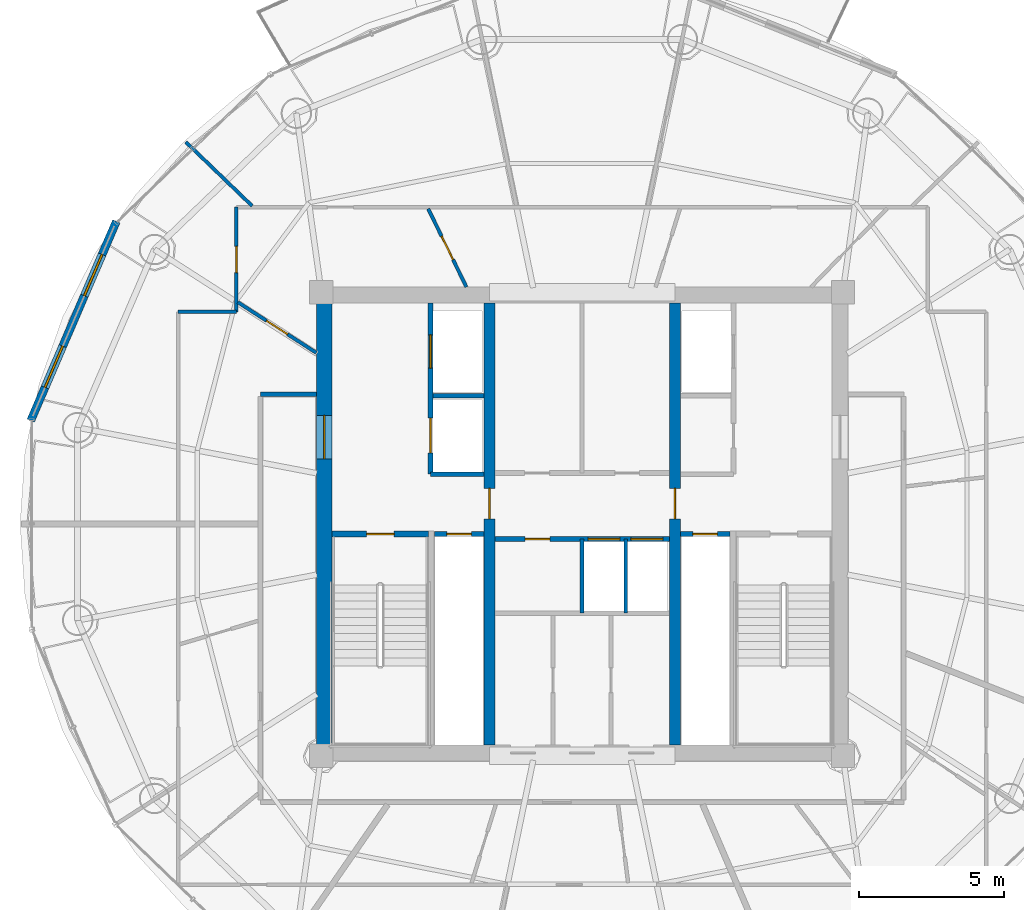
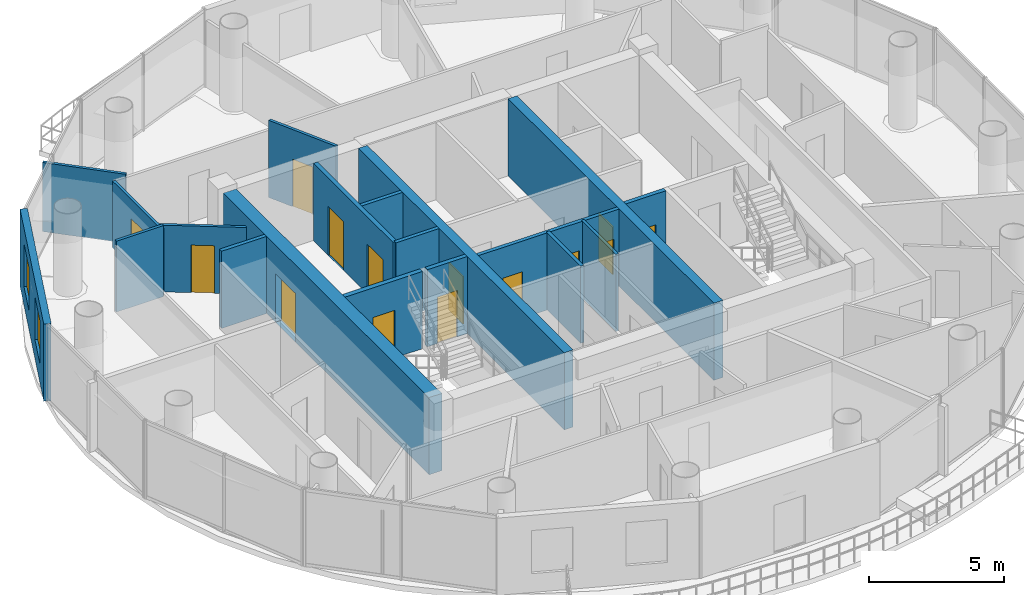
# One storey, part 19 of 24: 19 walls, 14 doors, 2 windows, 16 openings.
"""IFC4 building model written with IfcOpenShell, lengths in metres."""

from ifc_helpers import new_model, si_unit, direction, frame, frame_2d, origin, place, context, subcontext, project, spatial, rectangle, extrude, source, transform, mapped, material, layer, layer_set, type_object, element, fill, save


model = new_model("IFC4")

# Units and contexts
model_context = context("Model", 3, precision=1e-05, world=origin(), true_north=direction((-0.2419218956, 0.970295726276)))
body_context = subcontext(model_context, "Body", "Model", "MODEL_VIEW")
ifc_project = project(units=[si_unit("LENGTHUNIT", "METRE"), si_unit("AREAUNIT", "SQUARE_METRE"), si_unit("VOLUMEUNIT", "CUBIC_METRE"), si_unit("PLANEANGLEUNIT", "RADIAN"), si_unit("MASSUNIT", "GRAM", prefix="KILO")], contexts=[model_context])

# Site, building, storey
site_placement = place(None, origin())
site = spatial("IfcSite", under=ifc_project, at=site_placement, CompositionType="ELEMENT")
building_placement = place(site_placement, origin())
building = spatial("IfcBuilding", under=site, at=building_placement, Name="Cobrevalo Terracotta Tower", CompositionType="ELEMENT")
storey_placement = place(building_placement, frame((0.0, 0.0, 270.699951171875)))
storey = spatial("IfcBuildingStorey", under=building, at=storey_placement, Name="L71", CompositionType="ELEMENT", Elevation=270.699951171875)

# Wall, opening, door
ifc_material_1 = material(Name="Concrete C50", Category="concrete")
ifc_layer_1 = layer(ifc_material_1, 0.550048828125)
ifc_layer_set_1 = layer_set([ifc_layer_1], Name="Concrete C50")
wall_type_1 = type_object("IfcWallType", Name="Core shear wall 550 mm Concrete C50", PredefinedType="SHEAR", material=ifc_layer_set_1)
wall_1_placement = place(storey_placement, frame((29.10009765625, 19.175048828125, 0.0), z_axis=(0.0, 0.0, 1.0), x_axis=(0.0, 1.0, 0.0)))
wall_1 = element("IfcWall", 1, at=wall_1_placement, inside=storey, type_object=wall_type_1, Name="L71 west core shear wall", PredefinedType="SHEAR", context=body_context, shape_type="SweptSolid", body=[
    extrude(rectangle(XDim=15.25, YDim=0.550048828125, at=frame_2d((7.625, 0.0))), origin(), (0.0, 0.0, 1.0), 3.489990234375),
])
opening_1_placement = place(wall_1_placement, frame((9.875, 0.0, 0.0)))
opening_1 = element("IfcOpeningElement", 2, at=opening_1_placement, cuts=wall_1, Name="Opening ID-14", PredefinedType="OPENING", context=body_context, shape_type="SweptSolid", body=[
    extrude(rectangle(XDim=1.5, YDim=2.199951171875, at=frame_2d((0.75, 1.10009765625))), frame((0.0, 0.28515625, 0.0), z_axis=(0.0, -1.0, 0.0), x_axis=(1.0, 0.0, 0.0)), (0.0, 0.0, 1.0), 0.570068359375),
])
ifc_material_2 = material(Name="Galvanized fire-rated steel", Category="steel")
door_type_1 = type_object("IfcDoorType", Name="Core cross-lobby double fire door 1500x2200 EI 90", OperationType="NOTDEFINED", PredefinedType="DOOR", material=ifc_material_2)
shared_shape_1 = source(origin(), body_context, "Body", "SweptSolid", [
    extrude(rectangle(XDim=1.5, YDim=2.199951171875, at=frame_2d((0.75, 1.10009765625))), frame((0.0, 0.02490234375, 0.0), z_axis=(0.0, -1.0, 0.0), x_axis=(1.0, 0.0, 0.0)), (0.0, 0.0, 1.0), 0.050048828125),
])
door_1_placement = place(opening_1_placement, origin())
door_1 = element("IfcDoor", 3, at=door_1_placement, inside=storey, type_object=door_type_1, Name="L71 west firefighting lobby entrance door", OperationType="DOUBLE_DOOR_SINGLE_SWING", OverallHeight=2.199951171875, OverallWidth=1.5, PredefinedType="DOOR", context=body_context, shape_type="MappedRepresentation", body=[
    mapped(shared_shape_1, transform((0.0, 0.0, 0.0), scale=1.0)),
])
fill(opening_1, door_1)

# Walls
ifc_material_3 = material(Name="Gypsum board on steel stud", Category="steel")
ifc_layer_2 = layer(ifc_material_3, 0.159912109375)
ifc_layer_set_2 = layer_set([ifc_layer_2], Name="Gypsum board on steel stud")
wall_type_2 = type_object("IfcWallType", Name="Fire-rated corridor acoustic partition wall 160 mm", PredefinedType="PARTITIONING", material=ifc_layer_set_2)
wall_2_placement = place(storey_placement, frame((32.860107421875, 31.219970703125, 0.0), z_axis=(0.0, 0.0, 1.0), x_axis=(1.0, 0.0, 0.0)))
element("IfcWall", 4, at=wall_2_placement, inside=storey, type_object=wall_type_2, Name="L71 interior partition IW-L71-FF1-M", PredefinedType="PARTITIONING", context=body_context, shape_type="SweptSolid", body=[
    extrude(rectangle(XDim=1.75, YDim=0.159912109375, at=frame_2d((0.875, 0.0))), origin(), (0.0, 0.0, 1.0), 3.489990234375),
])
wall_3_placement = place(storey_placement, frame((32.77001953125, 28.52001953125, 0.0), z_axis=(0.0, 0.0, 1.0), x_axis=(1.0, 0.0, 0.0)))
element("IfcWall", 5, at=wall_3_placement, inside=storey, type_object=wall_type_2, Name="L71 interior partition IW-L71-FF1-S", PredefinedType="PARTITIONING", context=body_context, shape_type="SweptSolid", body=[
    extrude(rectangle(XDim=1.840087890625, YDim=0.159912109375, at=frame_2d((0.919921875, 0.0))), origin(), (0.0, 0.0, 1.0), 3.489990234375),
])

# Wall, openings, doors
wall_4_placement = place(storey_placement, frame((34.989990234375, 26.280029296875, 0.0), z_axis=(0.0, 0.0, 1.0), x_axis=(1.0, 0.0, 0.0)))
wall_4 = element("IfcWall", 6, at=wall_4_placement, inside=storey, type_object=wall_type_2, Name="L71 interior partition IW-L71-MB-N", PredefinedType="PARTITIONING", context=body_context, shape_type="SweptSolid", body=[
    extrude(rectangle(XDim=6.02001953125, YDim=0.159912109375, at=frame_2d((3.010009765625, 0.0))), origin(), (0.0, 0.0, 1.0), 3.489990234375),
])
opening_2_placement = place(wall_4_placement, frame((1.044921875, 0.0, 0.0)))
opening_2 = element("IfcOpeningElement", 7, at=opening_2_placement, cuts=wall_4, Name="Opening ID-22", PredefinedType="OPENING", context=body_context, shape_type="SweptSolid", body=[
    extrude(rectangle(XDim=0.85009765625, YDim=2.10009765625, at=frame_2d((0.425048828125, 1.050048828125))), frame((0.0, 0.08984375, 0.0), z_axis=(0.0, -1.0, 0.0), x_axis=(1.0, 0.0, 0.0)), (0.0, 0.0, 1.0), 0.179931640625),
])
opening_3_placement = place(wall_4_placement, frame((3.215087890625, 0.0, 0.0)))
opening_3 = element("IfcOpeningElement", 8, at=opening_3_placement, cuts=wall_4, Name="Opening LD-01", PredefinedType="OPENING", context=body_context, shape_type="SweptSolid", body=[
    extrude(rectangle(XDim=1.10009765625, YDim=2.199951171875, at=frame_2d((0.550048828125, 1.10009765625))), frame((0.0, 0.08984375, 0.0), z_axis=(0.0, -1.0, 0.0), x_axis=(1.0, 0.0, 0.0)), (0.0, 0.0, 1.0), 0.179931640625),
])
opening_4_placement = place(wall_4_placement, frame((4.695068359375, 0.0, 0.0)))
opening_4 = element("IfcOpeningElement", 9, at=opening_4_placement, cuts=wall_4, Name="Opening LD-01", PredefinedType="OPENING", context=body_context, shape_type="SweptSolid", body=[
    extrude(rectangle(XDim=1.10009765625, YDim=2.199951171875, at=frame_2d((0.550048828125, 1.10009765625))), frame((0.0, 0.08984375, 0.0), z_axis=(0.0, -1.0, 0.0), x_axis=(1.0, 0.0, 0.0)), (0.0, 0.0, 1.0), 0.179931640625),
])
ifc_material_4 = material(Name="Powder-coated steel", Category="steel")
door_type_2 = type_object("IfcDoorType", Name="Riser shaft & meter closet fire access door 850x2100 EI 60", OperationType="NOTDEFINED", PredefinedType="DOOR", material=ifc_material_4)
shared_shape_2 = source(origin(), body_context, "Body", "SweptSolid", [
    extrude(rectangle(XDim=0.85009765625, YDim=2.10009765625, at=frame_2d((0.425048828125, 1.050048828125))), frame((0.0, 0.02490234375, 0.0), z_axis=(0.0, -1.0, 0.0), x_axis=(1.0, 0.0, 0.0)), (0.0, 0.0, 1.0), 0.050048828125),
])
door_2_placement = place(opening_2_placement, frame((0.85009765625, 0.0, 0.0), z_axis=(0.0, 0.0, 1.0), x_axis=(-1.0, 0.0, 0.0)))
door_2 = element("IfcDoor", 10, at=door_2_placement, inside=storey, type_object=door_type_2, Name="L71 core room door High-Rise Core Linen and Equipment Store", OperationType="SINGLE_SWING_RIGHT", OverallHeight=2.10009765625, OverallWidth=0.85009765625, PredefinedType="DOOR", context=body_context, shape_type="MappedRepresentation", body=[
    mapped(shared_shape_2, transform((0.0, 0.0, 0.0), scale=1.0)),
])
fill(opening_2, door_2)
ifc_material_5 = material(Name="Brushed stainless steel", Category="steel")
door_type_3 = type_object("IfcDoorType", Name="Passenger lift landing bi-parting sliding door 1100x2200 EI 90", OperationType="DOUBLE_DOOR_SLIDING", PredefinedType="DOOR", material=ifc_material_5)
shared_shape_3 = source(origin(), body_context, "Body", "SweptSolid", [
    extrude(rectangle(XDim=1.10009765625, YDim=2.199951171875, at=frame_2d((0.550048828125, 1.10009765625))), frame((0.0, 0.02490234375, 0.0), z_axis=(0.0, -1.0, 0.0), x_axis=(1.0, 0.0, 0.0)), (0.0, 0.0, 1.0), 0.050048828125),
])
door_3_placement = place(opening_3_placement, origin())
door_3 = element("IfcDoor", 11, at=door_3_placement, inside=storey, type_object=door_type_3, Name="L71 lift landing door PL-H1", OperationType="DOUBLE_DOOR_SLIDING", OverallHeight=2.199951171875, OverallWidth=1.10009765625, PredefinedType="DOOR", context=body_context, shape_type="MappedRepresentation", body=[
    mapped(shared_shape_3, transform((0.0, 0.0, 0.0), scale=1.0)),
])
fill(opening_3, door_3)
door_4_placement = place(opening_4_placement, origin())
door_4 = element("IfcDoor", 12, at=door_4_placement, inside=storey, type_object=door_type_3, Name="L71 lift landing door PL-H2", OperationType="DOUBLE_DOOR_SLIDING", OverallHeight=2.199951171875, OverallWidth=1.10009765625, PredefinedType="DOOR", context=body_context, shape_type="MappedRepresentation", body=[
    mapped(shared_shape_3, transform((0.0, 0.0, 0.0), scale=1.0)),
])
fill(opening_4, door_4)

# Wall
wall_5_placement = place(storey_placement, frame((26.89501953125, 31.280029296875, 0.0), z_axis=(0.0, 0.0, 1.0), x_axis=(1.0, 0.0, 0.0)))
element("IfcWall", 13, at=wall_5_placement, inside=storey, type_object=wall_type_2, Name="L71 interior partition IW-L71-COR-WN-CAP", PredefinedType="PARTITIONING", context=body_context, shape_type="SweptSolid", body=[
    extrude(rectangle(XDim=1.929931640625, YDim=0.159912109375, at=frame_2d((0.96484375, 0.0))), origin(), (0.0, 0.0, 1.0), 3.489990234375),
])

# Wall, opening, door
ifc_layer_3 = layer(ifc_material_3, 0.179931640625)
ifc_layer_set_3 = layer_set([ifc_layer_3], Name="Gypsum board on steel stud")
wall_type_3 = type_object("IfcWallType", Name="Fire-rated shaft & lobby acoustic partition wall 180 mm", PredefinedType="PARTITIONING", material=ifc_layer_set_3)
wall_6_placement = place(storey_placement, frame((32.89990234375, 26.449951171875, 0.0), z_axis=(0.0, 0.0, 1.0), x_axis=(1.0, 0.0, 0.0)))
wall_6 = element("IfcWall", 14, at=wall_6_placement, inside=storey, type_object=wall_type_3, Name="L71 interior partition IW-L71-RSW-N", PredefinedType="PARTITIONING", context=body_context, shape_type="SweptSolid", body=[
    extrude(rectangle(XDim=1.710205078125, YDim=0.179931640625, at=frame_2d((0.85498046875, 0.0))), origin(), (0.0, 0.0, 1.0), 3.489990234375),
])
opening_5_placement = place(wall_6_placement, frame((0.429931640625, 0.0, 0.0)))
opening_5 = element("IfcOpeningElement", 15, at=opening_5_placement, cuts=wall_6, Name="Opening ID-22", PredefinedType="OPENING", context=body_context, shape_type="SweptSolid", body=[
    extrude(rectangle(XDim=0.85009765625, YDim=2.10009765625, at=frame_2d((0.425048828125, 1.050048828125))), frame((0.0, 0.10009765625, 0.0), z_axis=(0.0, -1.0, 0.0), x_axis=(1.0, 0.0, 0.0)), (0.0, 0.0, 1.0), 0.199951171875),
])
door_5_placement = place(opening_5_placement, origin())
door_5 = element("IfcDoor", 16, at=door_5_placement, inside=storey, type_object=door_type_2, Name="L71 riser access door RSW", OperationType="SINGLE_SWING_LEFT", OverallHeight=2.10009765625, OverallWidth=0.85009765625, PredefinedType="DOOR", context=body_context, shape_type="MappedRepresentation", body=[
    mapped(shared_shape_2, transform((0.0, 0.0, 0.0), scale=1.0)),
])
fill(opening_5, door_5)

wall_7_placement = place(storey_placement, frame((41.389892578125, 26.449951171875, 0.0), z_axis=(0.0, 0.0, 1.0), x_axis=(1.0, 0.0, 0.0)))
wall_7 = element("IfcWall", 17, at=wall_7_placement, inside=storey, type_object=wall_type_3, Name="L71 interior partition IW-L71-RSE-N", PredefinedType="PARTITIONING", context=body_context, shape_type="SweptSolid", body=[
    extrude(rectangle(XDim=1.710205078125, YDim=0.179931640625, at=frame_2d((0.85498046875, 0.0))), origin(), (0.0, 0.0, 1.0), 3.489990234375),
])
opening_6_placement = place(wall_7_placement, frame((0.429931640625, 0.0, 0.0)))
opening_6 = element("IfcOpeningElement", 18, at=opening_6_placement, cuts=wall_7, Name="Opening ID-22", PredefinedType="OPENING", context=body_context, shape_type="SweptSolid", body=[
    extrude(rectangle(XDim=0.85009765625, YDim=2.10009765625, at=frame_2d((0.425048828125, 1.050048828125))), frame((0.0, 0.10009765625, 0.0), z_axis=(0.0, -1.0, 0.0), x_axis=(1.0, 0.0, 0.0)), (0.0, 0.0, 1.0), 0.199951171875),
])
door_6_placement = place(opening_6_placement, origin())
door_6 = element("IfcDoor", 19, at=door_6_placement, inside=storey, type_object=door_type_2, Name="L71 riser access door RSE", OperationType="SINGLE_SWING_RIGHT", OverallHeight=2.10009765625, OverallWidth=0.85009765625, PredefinedType="DOOR", context=body_context, shape_type="MappedRepresentation", body=[
    mapped(shared_shape_2, transform((0.0, 0.0, 0.0), scale=1.0)),
])
fill(opening_6, door_6)

# Wall, openings, doors
wall_8_placement = place(storey_placement, frame((32.77001953125, 28.52001953125, 0.0), z_axis=(0.0, 0.0, 1.0), x_axis=(0.0, 1.0, 0.0)))
wall_8 = element("IfcWall", 20, at=wall_8_placement, inside=storey, type_object=wall_type_3, Name="L71 interior partition IW-L71-FF1-W", PredefinedType="PARTITIONING", context=body_context, shape_type="SweptSolid", body=[
    extrude(rectangle(XDim=5.905029296875, YDim=0.179931640625, at=frame_2d((2.95263671875, 0.0))), origin(), (0.0, 0.0, 1.0), 3.489990234375),
])
opening_7_placement = place(wall_8_placement, frame((3.655029296875, 0.0, 0.0)))
opening_7 = element("IfcOpeningElement", 21, at=opening_7_placement, cuts=wall_8, Name="Opening LD-02", PredefinedType="OPENING", context=body_context, shape_type="SweptSolid", body=[
    extrude(rectangle(XDim=1.14990234375, YDim=2.199951171875, at=frame_2d((0.574951171875, 1.10009765625))), frame((0.0, 0.10009765625, 0.0), z_axis=(0.0, -1.0, 0.0), x_axis=(1.0, 0.0, 0.0)), (0.0, 0.0, 1.0), 0.199951171875),
])
opening_8_placement = place(wall_8_placement, frame((0.72998046875, 0.0, 0.0)))
opening_8 = element("IfcOpeningElement", 22, at=opening_8_placement, cuts=wall_8, Name="Opening LD-03", PredefinedType="OPENING", context=body_context, shape_type="SweptSolid", body=[
    extrude(rectangle(XDim=1.199951171875, YDim=2.25, at=frame_2d((0.60009765625, 1.125))), frame((0.0, 0.10009765625, 0.0), z_axis=(0.0, -1.0, 0.0), x_axis=(1.0, 0.0, 0.0)), (0.0, 0.0, 1.0), 0.199951171875),
])
door_type_4 = type_object("IfcDoorType", Name="Firefighting lift landing bi-parting sliding door 1150x2200 EI 120", OperationType="DOUBLE_DOOR_SLIDING", PredefinedType="DOOR", material=ifc_material_5)
shared_shape_4 = source(origin(), body_context, "Body", "SweptSolid", [
    extrude(rectangle(XDim=1.14990234375, YDim=2.199951171875, at=frame_2d((0.574951171875, 1.10009765625))), frame((0.0, 0.02490234375, 0.0), z_axis=(0.0, -1.0, 0.0), x_axis=(1.0, 0.0, 0.0)), (0.0, 0.0, 1.0), 0.050048828125),
])
door_7_placement = place(opening_7_placement, origin())
door_7 = element("IfcDoor", 23, at=door_7_placement, inside=storey, type_object=door_type_4, Name="L71 lift landing door FF-1", OperationType="DOUBLE_DOOR_SLIDING", OverallHeight=2.199951171875, OverallWidth=1.14990234375, PredefinedType="DOOR", context=body_context, shape_type="MappedRepresentation", body=[
    mapped(shared_shape_4, transform((0.0, 0.0, 0.0), scale=1.0)),
])
fill(opening_7, door_7)
door_type_5 = type_object("IfcDoorType", Name="Service lift landing bi-parting sliding door 1200x2250 EI 120", OperationType="DOUBLE_DOOR_SLIDING", PredefinedType="DOOR", material=ifc_material_5)
shared_shape_5 = source(origin(), body_context, "Body", "SweptSolid", [
    extrude(rectangle(XDim=1.199951171875, YDim=2.25, at=frame_2d((0.60009765625, 1.125))), frame((0.0, 0.02490234375, 0.0), z_axis=(0.0, -1.0, 0.0), x_axis=(1.0, 0.0, 0.0)), (0.0, 0.0, 1.0), 0.050048828125),
])
door_8_placement = place(opening_8_placement, origin())
door_8 = element("IfcDoor", 24, at=door_8_placement, inside=storey, type_object=door_type_5, Name="L71 lift landing door SV-1", OperationType="DOUBLE_DOOR_SLIDING", OverallHeight=2.25, OverallWidth=1.199951171875, PredefinedType="DOOR", context=body_context, shape_type="MappedRepresentation", body=[
    mapped(shared_shape_5, transform((0.0, 0.0, 0.0), scale=1.0)),
])
fill(opening_8, door_8)

# Wall
ifc_material_6 = material(Name="Autoclaved aerated concrete block", Category="concrete")
ifc_layer_4 = layer(ifc_material_6, 0.1201171875)
ifc_layer_set_4 = layer_set([ifc_layer_4], Name="Autoclaved aerated concrete block")
wall_type_4 = type_object("IfcWallType", Name="Fire-rated wet-room & core service partition 120 mm", PredefinedType="PARTITIONING", material=ifc_layer_set_4)
wall_9_placement = place(storey_placement, frame((39.5, 23.719970703125, 0.0), z_axis=(0.0, 0.0, 1.0), x_axis=(0.0, 1.0, 0.0)))
element("IfcWall", 25, at=wall_9_placement, inside=storey, type_object=wall_type_4, Name="L71 interior partition IW-L71-MB-D3", PredefinedType="PARTITIONING", context=body_context, shape_type="SweptSolid", body=[
    extrude(rectangle(XDim=2.56005859375, YDim=0.1201171875, at=frame_2d((1.280029296875, 0.0))), origin(), (0.0, 0.0, 1.0), 3.489990234375),
])

# Wall, openings, windows
ifc_layer_5 = layer(ifc_material_6, 0.280029296875)
ifc_layer_set_5 = layer_set([ifc_layer_5], Name="Autoclaved aerated concrete block")
wall_type_5 = type_object("IfcWallType", Name="Insulated tower spandrel & pier wall 280 mm with terracotta rainscreen", PredefinedType="SOLIDWALL", material=ifc_layer_set_5)
wall_10_placement = place(storey_placement, frame((21.926025390625, 37.24609375, 0.0), z_axis=(0.0, 0.0, 1.0), x_axis=(-0.394816612978, -0.918759948037, 0.0)))
wall_10 = element("IfcWall", 26, at=wall_10_placement, inside=storey, type_object=wall_type_5, Name="L71 terracotta rainscreen pier wall S07", PredefinedType="SOLIDWALL", context=body_context, shape_type="SweptSolid", body=[
    extrude(rectangle(XDim=7.4853515625, YDim=0.280029296875, at=frame_2d((3.74267578125, 0.0))), origin(), (0.0, 0.0, 1.0), 3.489990234375),
])
opening_9_placement = place(wall_10_placement, frame((1.24609375, 0.0, 0.85009765625)))
opening_9 = element("IfcOpeningElement", 27, at=opening_9_placement, cuts=wall_10, Name="Opening WN-12", PredefinedType="OPENING", context=body_context, shape_type="SweptSolid", body=[
    extrude(rectangle(XDim=1.550048828125, YDim=1.949951171875, at=frame_2d((0.77490234375, 0.97509765625))), frame((0.0, 0.14990234375, 0.0), z_axis=(0.0, -1.0, 0.0), x_axis=(1.0, 0.0, 0.0)), (0.0, 0.0, 1.0), 0.300048828125),
])
opening_10_placement = place(wall_10_placement, frame((4.689208984375, 0.0, 0.85009765625)))
opening_10 = element("IfcOpeningElement", 28, at=opening_10_placement, cuts=wall_10, Name="Opening WN-12", PredefinedType="OPENING", context=body_context, shape_type="SweptSolid", body=[
    extrude(rectangle(XDim=1.550048828125, YDim=1.949951171875, at=frame_2d((0.77490234375, 0.97509765625))), frame((0.0, 0.14990234375, 0.0), z_axis=(0.0, -1.0, 0.0), x_axis=(1.0, 0.0, 0.0)), (0.0, 0.0, 1.0), 0.300048828125),
])
ifc_material_7 = material(Name="Solar-control low-E double glazing", Category="glass")
window_type = type_object("IfcWindowType", Name="Solar-control low-E aluminium window 1550x1950", PartitioningType="SINGLE_PANEL", PredefinedType="WINDOW", material=ifc_material_7)
shared_shape_6 = source(origin(), body_context, "Body", "SweptSolid", [
    extrude(rectangle(XDim=1.550048828125, YDim=1.949951171875, at=frame_2d((0.77490234375, 0.97509765625))), frame((0.0, 0.030029296875, 0.0), z_axis=(0.0, -1.0, 0.0), x_axis=(1.0, 0.0, 0.0)), (0.0, 0.0, 1.0), 0.06005859375),
])
window_1_placement = place(opening_9_placement, origin())
window_1 = element("IfcWindow", 29, at=window_1_placement, inside=storey, type_object=window_type, Name="L71 suite window S07A", OverallHeight=1.949951171875, OverallWidth=1.550048828125, PartitioningType="SINGLE_PANEL", PredefinedType="WINDOW", context=body_context, shape_type="MappedRepresentation", body=[
    mapped(shared_shape_6, transform((0.0, 0.0, 0.0), scale=1.0)),
])
fill(opening_9, window_1)
window_2_placement = place(opening_10_placement, origin())
window_2 = element("IfcWindow", 30, at=window_2_placement, inside=storey, type_object=window_type, Name="L71 suite window S07B", OverallHeight=1.949951171875, OverallWidth=1.550048828125, PartitioningType="SINGLE_PANEL", PredefinedType="WINDOW", context=body_context, shape_type="MappedRepresentation", body=[
    mapped(shared_shape_6, transform((0.0, 0.0, 0.0), scale=1.0)),
])
fill(opening_10, window_2)

# Wall, opening, door
ifc_layer_6 = layer(ifc_material_1, 0.3798828125)
ifc_layer_set_6 = layer_set([ifc_layer_6], Name="Concrete C50")
wall_type_6 = type_object("IfcWallType", Name="Internal core shear web wall 380 mm Concrete C50", PredefinedType="SHEAR", material=ifc_layer_set_6)
wall_11_placement = place(storey_placement, frame((34.800048828125, 19.175048828125, 0.0), z_axis=(0.0, 0.0, 1.0), x_axis=(0.0, 1.0, 0.0)))
wall_11 = element("IfcWall", 31, at=wall_11_placement, inside=storey, type_object=wall_type_6, Name="L71 internal core shear wall WEB-W", PredefinedType="SHEAR", context=body_context, shape_type="SweptSolid", body=[
    extrude(rectangle(XDim=15.25, YDim=0.3798828125, at=frame_2d((7.625, 0.0))), origin(), (0.0, 0.0, 1.0), 3.489990234375),
])
opening_11_placement = place(wall_11_placement, frame((7.800048828125, 0.0, 0.0)))
opening_11 = element("IfcOpeningElement", 32, at=opening_11_placement, cuts=wall_11, Name="Opening ID-11", PredefinedType="OPENING", context=body_context, shape_type="SweptSolid", body=[
    extrude(rectangle(XDim=1.050048828125, YDim=2.14990234375, at=frame_2d((0.52490234375, 1.074951171875))), frame((0.0, 0.199951171875, 0.0), z_axis=(0.0, -1.0, 0.0), x_axis=(1.0, 0.0, 0.0)), (0.0, 0.0, 1.0), 0.39990234375),
])
door_type_6 = type_object("IfcDoorType", Name="Core concourse cross fire door 1050x2150 EI 90", OperationType="NOTDEFINED", PredefinedType="DOOR", material=ifc_material_2)
shared_shape_7 = source(origin(), body_context, "Body", "SweptSolid", [
    extrude(rectangle(XDim=1.050048828125, YDim=2.14990234375, at=frame_2d((0.52490234375, 1.074951171875))), frame((0.0, 0.02490234375, 0.0), z_axis=(0.0, -1.0, 0.0), x_axis=(1.0, 0.0, 0.0)), (0.0, 0.0, 1.0), 0.050048828125),
])
door_9_placement = place(opening_11_placement, origin())
door_9 = element("IfcDoor", 33, at=door_9_placement, inside=storey, type_object=door_type_6, Name="L71 west core concourse cross door", OperationType="SINGLE_SWING_LEFT", OverallHeight=2.14990234375, OverallWidth=1.050048828125, PredefinedType="DOOR", context=body_context, shape_type="MappedRepresentation", body=[
    mapped(shared_shape_7, transform((0.0, 0.0, 0.0), scale=1.0)),
])
fill(opening_11, door_9)

wall_12_placement = place(storey_placement, frame((41.199951171875, 19.175048828125, 0.0), z_axis=(0.0, 0.0, 1.0), x_axis=(0.0, 1.0, 0.0)))
wall_12 = element("IfcWall", 34, at=wall_12_placement, inside=storey, type_object=wall_type_6, Name="L71 internal core shear wall WEB-E", PredefinedType="SHEAR", context=body_context, shape_type="SweptSolid", body=[
    extrude(rectangle(XDim=15.25, YDim=0.3798828125, at=frame_2d((7.625, 0.0))), origin(), (0.0, 0.0, 1.0), 3.489990234375),
])
opening_12_placement = place(wall_12_placement, frame((7.800048828125, 0.0, 0.0)))
opening_12 = element("IfcOpeningElement", 35, at=opening_12_placement, cuts=wall_12, Name="Opening ID-11", PredefinedType="OPENING", context=body_context, shape_type="SweptSolid", body=[
    extrude(rectangle(XDim=1.050048828125, YDim=2.14990234375, at=frame_2d((0.52490234375, 1.074951171875))), frame((0.0, 0.199951171875, 0.0), z_axis=(0.0, -1.0, 0.0), x_axis=(1.0, 0.0, 0.0)), (0.0, 0.0, 1.0), 0.39990234375),
])
door_10_placement = place(opening_12_placement, frame((1.050048828125, 0.0, 0.0), z_axis=(0.0, 0.0, 1.0), x_axis=(-1.0, 0.0, 0.0)))
door_10 = element("IfcDoor", 36, at=door_10_placement, inside=storey, type_object=door_type_6, Name="L71 east core concourse cross door", OperationType="SINGLE_SWING_RIGHT", OverallHeight=2.14990234375, OverallWidth=1.050048828125, PredefinedType="DOOR", context=body_context, shape_type="MappedRepresentation", body=[
    mapped(shared_shape_7, transform((0.0, 0.0, 0.0), scale=1.0)),
])
fill(opening_12, door_10)

# Walls
ifc_layer_7 = layer(ifc_material_6, 0.139892578125)
ifc_layer_set_7 = layer_set([ifc_layer_7], Name="Autoclaved aerated concrete block")
wall_type_7 = type_object("IfcWallType", Name="Moisture-resistant wet-room & core service partition 140 mm", PredefinedType="PARTITIONING", material=ifc_layer_set_7)
wall_13_placement = place(storey_placement, frame((38.0, 23.719970703125, 0.0), z_axis=(0.0, 0.0, 1.0), x_axis=(0.0, 1.0, 0.0)))
element("IfcWall", 37, at=wall_13_placement, inside=storey, type_object=wall_type_7, Name="L71 interior partition IW-L71-MB-D2", PredefinedType="PARTITIONING", context=body_context, shape_type="SweptSolid", body=[
    extrude(rectangle(XDim=2.56005859375, YDim=0.139892578125, at=frame_2d((1.280029296875, 0.0))), origin(), (0.0, 0.0, 1.0), 3.489990234375),
])
ifc_layer_8 = layer(ifc_material_3, 0.1201171875)
ifc_layer_set_8 = layer_set([ifc_layer_8], Name="Gypsum board on steel stud")
wall_type_8 = type_object("IfcWallType", Name="Residential internal acoustic stud partition 120 mm", PredefinedType="PARTITIONING", material=ifc_layer_set_8)
wall_14_placement = place(storey_placement, frame((24.054931640625, 34.1201171875, 0.0), z_axis=(0.0, 0.0, 1.0), x_axis=(1.0, 0.0, 0.0)))
element("IfcWall", 38, at=wall_14_placement, inside=storey, type_object=wall_type_8, Name="L71 interior partition IW-L71-U1-RING1_0", PredefinedType="PARTITIONING", context=body_context, shape_type="SweptSolid", body=[
    extrude(rectangle(XDim=2.010009765625, YDim=0.1201171875, at=frame_2d((1.0048828125, 0.0))), origin(), (0.0, 0.0, 1.0), 3.208984375),
])

# Wall, opening, door
wall_15_placement = place(storey_placement, frame((26.06494140625, 34.1201171875, 0.0), z_axis=(0.0, 0.0, 1.0), x_axis=(0.0, 1.0, 0.0)))
wall_15 = element("IfcWall", 39, at=wall_15_placement, inside=storey, type_object=wall_type_8, Name="L71 interior partition IW-L71-U1-RING2_0", PredefinedType="PARTITIONING", context=body_context, shape_type="SweptSolid", body=[
    extrude(rectangle(XDim=3.614990234375, YDim=0.1201171875, at=frame_2d((1.8076171875, 0.0))), origin(), (0.0, 0.0, 1.0), 3.01513671875),
])
opening_13_placement = place(wall_15_placement, frame((1.358154296875, 0.0, 0.0)))
opening_13 = element("IfcOpeningElement", 40, at=opening_13_placement, cuts=wall_15, Name="Opening ID-12", PredefinedType="OPENING", context=body_context, shape_type="SweptSolid", body=[
    extrude(rectangle(XDim=0.89990234375, YDim=2.14990234375, at=frame_2d((0.449951171875, 1.074951171875))), frame((0.0, 0.070068359375, 0.0), z_axis=(0.0, -1.0, 0.0), x_axis=(1.0, 0.0, 0.0)), (0.0, 0.0, 1.0), 0.14013671875),
])
ifc_material_8 = material(Name="Engineered timber", Category="wood")
door_type_7 = type_object("IfcDoorType", Name="Internal residence & suite timber door 900x2150", OperationType="NOTDEFINED", PredefinedType="DOOR", material=ifc_material_8)
shared_shape_8 = source(origin(), body_context, "Body", "SweptSolid", [
    extrude(rectangle(XDim=0.89990234375, YDim=2.14990234375, at=frame_2d((0.449951171875, 1.074951171875))), frame((0.0, 0.02490234375, 0.0), z_axis=(0.0, -1.0, 0.0), x_axis=(1.0, 0.0, 0.0)), (0.0, 0.0, 1.0), 0.050048828125),
])
door_11_placement = place(opening_13_placement, origin())
door_11 = element("IfcDoor", 41, at=door_11_placement, inside=storey, type_object=door_type_7, Name="Flat L71A Private Cinema Room internal door", OperationType="SINGLE_SWING_RIGHT", OverallHeight=2.14990234375, OverallWidth=0.89990234375, PredefinedType="DOOR", context=body_context, shape_type="MappedRepresentation", body=[
    mapped(shared_shape_8, transform((0.0, 0.0, 0.0), scale=1.0)),
])
fill(opening_13, door_11)

# Wall
wall_16_placement = place(storey_placement, frame((26.611083984375, 37.778076171875, 0.0), z_axis=(0.0, 0.0, 1.0), x_axis=(-0.719985652574, 0.693988948102, 0.0)))
element("IfcWall", 42, at=wall_16_placement, inside=storey, type_object=wall_type_8, Name="L71 interior partition IW-L71-U1-ORAD3", PredefinedType="PARTITIONING", context=body_context, shape_type="SweptSolid", body=[
    extrude(rectangle(XDim=3.17431640625, YDim=0.1201171875, at=frame_2d((1.587158203125, 0.0))), origin(), (0.0, 0.0, 1.0), 3.12109375),
])

# Wall, opening, door
wall_17_placement = place(storey_placement, frame((34.00830078125, 34.976806640625, 0.0), z_axis=(0.0, 0.0, 1.0), x_axis=(-0.438717914863, 0.898624833386, 0.0)))
wall_17 = element("IfcWall", 43, at=wall_17_placement, inside=storey, type_object=wall_type_8, Name="L71 interior partition IW-L71-U1-IRAD4", PredefinedType="PARTITIONING", context=body_context, shape_type="SweptSolid", body=[
    extrude(rectangle(XDim=3.00732421875, YDim=0.1201171875, at=frame_2d((1.503662109375, 0.0))), origin(), (0.0, 0.0, 1.0), 3.489990234375),
])
opening_14_placement = place(wall_17_placement, frame((1.0537109375, 0.0, 0.0)))
opening_14 = element("IfcOpeningElement", 44, at=opening_14_placement, cuts=wall_17, Name="Opening ID-12", PredefinedType="OPENING", context=body_context, shape_type="SweptSolid", body=[
    extrude(rectangle(XDim=0.89990234375, YDim=2.14990234375, at=frame_2d((0.449951171875, 1.074951171875))), frame((0.0, 0.070068359375, 0.0), z_axis=(0.0, -1.0, 0.0), x_axis=(1.0, 0.0, 0.0)), (0.0, 0.0, 1.0), 0.14013671875),
])
door_12_placement = place(opening_14_placement, origin())
door_12 = element("IfcDoor", 45, at=door_12_placement, inside=storey, type_object=door_type_7, Name="Flat L71A Utility Closet internal door", OperationType="SINGLE_SWING_LEFT", OverallHeight=2.14990234375, OverallWidth=0.89990234375, PredefinedType="DOOR", context=body_context, shape_type="MappedRepresentation", body=[
    mapped(shared_shape_8, transform((0.0, 0.0, 0.0), scale=1.0)),
])
fill(opening_14, door_12)

wall_18_placement = place(storey_placement, frame((28.824951171875, 32.709228515625, 0.0), z_axis=(0.0, 0.0, 1.0), x_axis=(-0.840692964871, 0.541512085568, 0.0)))
wall_18 = element("IfcWall", 46, at=wall_18_placement, inside=storey, type_object=wall_type_8, Name="L71 interior partition IW-L71-U1-IRAD5", PredefinedType="PARTITIONING", context=body_context, shape_type="SweptSolid", body=[
    extrude(rectangle(XDim=3.220947265625, YDim=0.1201171875, at=frame_2d((1.6103515625, 0.0))), origin(), (0.0, 0.0, 1.0), 3.01513671875),
])
opening_15_placement = place(wall_18_placement, frame((1.180419921875, 0.0, 0.0)))
opening_15 = element("IfcOpeningElement", 47, at=opening_15_placement, cuts=wall_18, Name="Opening ID-19", PredefinedType="OPENING", context=body_context, shape_type="SweptSolid", body=[
    extrude(rectangle(XDim=0.860107421875, YDim=2.14990234375, at=frame_2d((0.43017578125, 1.074951171875))), frame((0.0, 0.070068359375, 0.0), z_axis=(0.0, -1.0, 0.0), x_axis=(1.0, 0.0, 0.0)), (0.0, 0.0, 1.0), 0.14013671875),
])
ifc_material_9 = material(Name="Moisture-sealed timber", Category="wood")
door_type_8 = type_object("IfcDoorType", Name="Suite bathroom internal timber door 860x2150", OperationType="NOTDEFINED", PredefinedType="DOOR", material=ifc_material_9)
shared_shape_9 = source(origin(), body_context, "Body", "SweptSolid", [
    extrude(rectangle(XDim=0.860107421875, YDim=2.14990234375, at=frame_2d((0.43017578125, 1.074951171875))), frame((0.0, 0.02490234375, 0.0), z_axis=(0.0, -1.0, 0.0), x_axis=(1.0, 0.0, 0.0)), (0.0, 0.0, 1.0), 0.050048828125),
])
door_13_placement = place(opening_15_placement, origin())
door_13 = element("IfcDoor", 48, at=door_13_placement, inside=storey, type_object=door_type_8, Name="Flat L71A Guest Bathroom internal door", OperationType="SINGLE_SWING_RIGHT", OverallHeight=2.14990234375, OverallWidth=0.860107421875, PredefinedType="DOOR", context=body_context, shape_type="MappedRepresentation", body=[
    mapped(shared_shape_9, transform((0.0, 0.0, 0.0), scale=1.0)),
])
fill(opening_15, door_13)

ifc_layer_9 = layer(ifc_material_1, 0.199951171875)
ifc_layer_set_9 = layer_set([ifc_layer_9], Name="Concrete C50")
wall_type_9 = type_object("IfcWallType", Name="Structural core & podium stair-shaft RC wall 200 mm Concrete C50", PredefinedType="SOLIDWALL", material=ifc_layer_set_9)
wall_19_placement = place(storey_placement, frame((29.375, 26.449951171875, 0.0), z_axis=(0.0, 0.0, 1.0), x_axis=(1.0, 0.0, 0.0)))
wall_19 = element("IfcWall", 49, at=wall_19_placement, inside=storey, type_object=wall_type_9, Name="L71 ST-1 north structural shaft wall", PredefinedType="SOLIDWALL", context=body_context, shape_type="SweptSolid", body=[
    extrude(rectangle(XDim=3.320068359375, YDim=0.199951171875, at=frame_2d((1.66015625, 0.0))), origin(), (0.0, 0.0, 1.0), 3.489990234375),
])
opening_16_placement = place(wall_19_placement, frame((1.18505859375, 0.0, 0.0)))
opening_16 = element("IfcOpeningElement", 50, at=opening_16_placement, cuts=wall_19, Name="Opening ID-04", PredefinedType="OPENING", context=body_context, shape_type="SweptSolid", body=[
    extrude(rectangle(XDim=0.949951171875, YDim=2.14990234375, at=frame_2d((0.47509765625, 1.074951171875))), frame((0.0, 0.10986328125, 0.0), z_axis=(0.0, -1.0, 0.0), x_axis=(1.0, 0.0, 0.0)), (0.0, 0.0, 1.0), 0.219970703125),
])
door_type_9 = type_object("IfcDoorType", Name="Stair & firefighting lobby fire door 950x2150 EI 90", OperationType="NOTDEFINED", PredefinedType="DOOR", material=ifc_material_2)
shared_shape_10 = source(origin(), body_context, "Body", "SweptSolid", [
    extrude(rectangle(XDim=0.949951171875, YDim=2.14990234375, at=frame_2d((0.47509765625, 1.074951171875))), frame((0.0, 0.02490234375, 0.0), z_axis=(0.0, -1.0, 0.0), x_axis=(1.0, 0.0, 0.0)), (0.0, 0.0, 1.0), 0.050048828125),
])
door_14_placement = place(opening_16_placement, origin())
door_14 = element("IfcDoor", 51, at=door_14_placement, inside=storey, type_object=door_type_9, Name="L71 protected stair ST1 fire door", OperationType="SINGLE_SWING_LEFT", OverallHeight=2.14990234375, OverallWidth=0.949951171875, PredefinedType="DOOR", context=body_context, shape_type="MappedRepresentation", body=[
    mapped(shared_shape_10, transform((0.0, 0.0, 0.0), scale=1.0)),
])
fill(opening_16, door_14)

save(model, "model.ifc")
